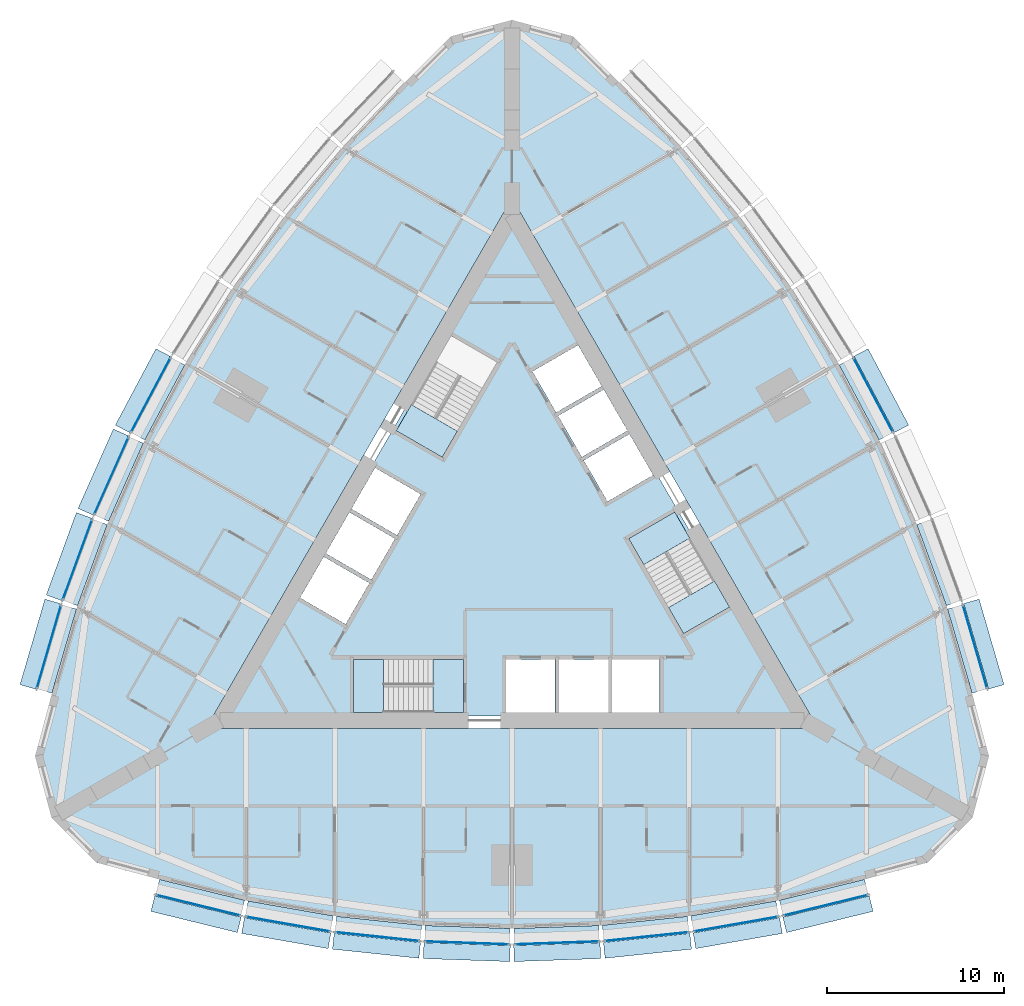
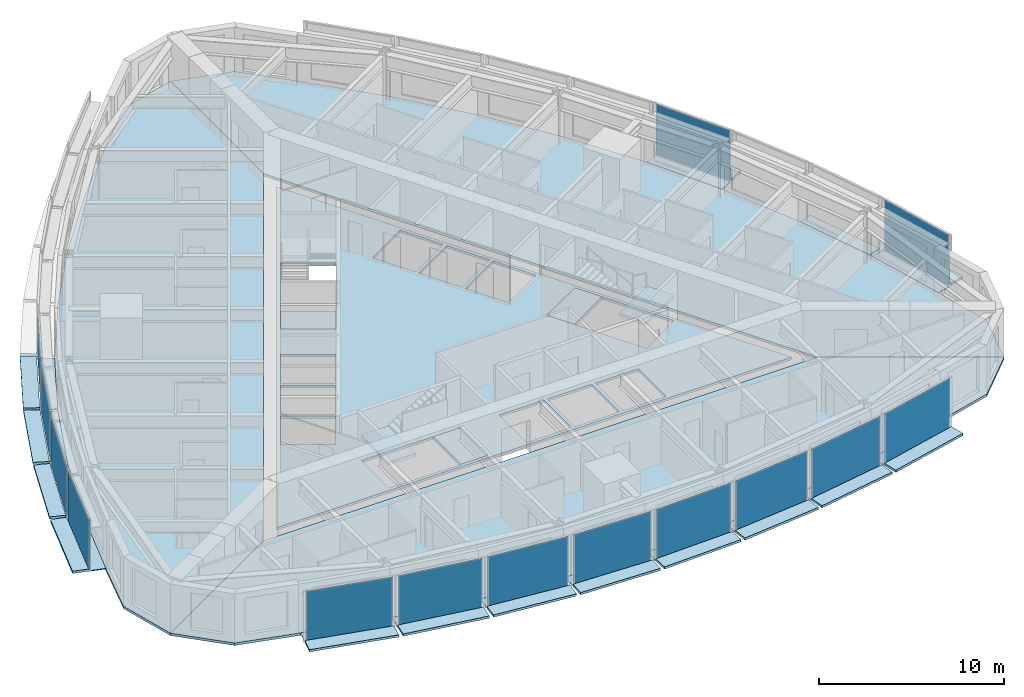
# One storey, part 6 of 14: 43 plates, 9 slabs, 17 elements without a shape of their own.
"""IFC4 building model written with IfcOpenShell, lengths in metres."""

from ifc_helpers import new_model, si_unit, direction, frame, origin, origin_2d, place, context, subcontext, project, spatial, polyline, rectangle, outline, extrude, material, layer, layer_set, type_object, element, aggregate, save


model = new_model("IFC4")

# Units and contexts
model_context = context("Model", 3, precision=1e-05, world=origin(), true_north=direction((0.0, 1.0)))
body_context = subcontext(model_context, "Body", "Model", "MODEL_VIEW")
ifc_project = project(units=[si_unit("LENGTHUNIT", "METRE"), si_unit("AREAUNIT", "SQUARE_METRE"), si_unit("VOLUMEUNIT", "CUBIC_METRE"), si_unit("PLANEANGLEUNIT", "RADIAN"), si_unit("MASSUNIT", "GRAM", prefix="KILO")], contexts=[model_context])

# Site, building, storey
site_placement = place(None, origin())
site = spatial("IfcSite", under=ifc_project, at=site_placement, CompositionType="ELEMENT")
building_placement = place(site_placement, origin())
building = spatial("IfcBuilding", under=site, at=building_placement, Name="Trikona Tower", CompositionType="ELEMENT")
storey_placement = place(building_placement, frame((0.0, 0.0, 138.5)))
storey = spatial("IfcBuildingStorey", under=building, at=storey_placement, Name="L36", CompositionType="ELEMENT", Elevation=138.5)

# Plates
ifc_material_1 = material(Name="Aluminium bar grating", Category="aluminium")
ifc_layer_1 = layer(ifc_material_1, 0.050048828125)
ifc_layer_set_1 = layer_set([ifc_layer_1], Name="Cavity catwalk grating")
plate_type_1 = type_object("IfcPlateType", Name="Cavity catwalk grating", PredefinedType="USERDEFINED", material=ifc_layer_set_1)
plate_1_placement = place(storey_placement, frame((-17.598876953125, -19.49072265625, -0.0498046875), z_axis=(0.0, 0.0, 1.0), x_axis=(0.971274411564, -0.237962218516, 0.0)))
element("IfcPlate", 1, at=plate_1_placement, inside=storey, type_object=plate_type_1, Name="Cavity catwalk L36-00", ObjectType="CATWALK GRATING", PredefinedType="USERDEFINED", context=body_context, shape_type="SweptSolid", body=[
    extrude(rectangle(XDim=4.947998046875, YDim=0.830078125, at=origin_2d()), origin(), (0.0, 0.0, 1.0), 0.050048828125),
])
plate_2_placement = place(storey_placement, frame((-12.571533203125, -20.54638671875, -0.0498046875), z_axis=(0.0, 0.0, 1.0), x_axis=(0.985030604067, -0.172379549401, 0.0)))
element("IfcPlate", 2, at=plate_2_placement, inside=storey, type_object=plate_type_1, Name="Cavity catwalk L36-01", ObjectType="CATWALK GRATING", PredefinedType="USERDEFINED", context=body_context, shape_type="SweptSolid", body=[
    extrude(rectangle(XDim=4.8759765625, YDim=0.830078125, at=origin_2d()), origin(), (0.0, 0.0, 1.0), 0.050048828125),
])
plate_3_placement = place(storey_placement, frame((-7.543212890625, -21.25048828125, -0.0498046875), z_axis=(0.0, 0.0, 1.0), x_axis=(0.994532653854, -0.104426052392, 0.0)))
element("IfcPlate", 3, at=plate_3_placement, inside=storey, type_object=plate_type_1, Name="Cavity catwalk L36-02", ObjectType="CATWALK GRATING", PredefinedType="USERDEFINED", context=body_context, shape_type="SweptSolid", body=[
    extrude(rectangle(XDim=4.827392578125, YDim=0.830078125, at=origin_2d()), origin(), (0.0, 0.0, 1.0), 0.050048828125),
])
for number, where, z_axis, x_axis, name in (
    (4, (-2.514404296875, -21.602294921875, -0.0498046875), (0.0, 0.0, 1.0), (0.999388082937, -0.034977988567, 0.0), "Cavity catwalk L36-03"),
    (5, (2.514404296875, -21.602294921875, -0.0498046875), (0.0, 0.0, 1.0), (0.999388082937, 0.034977988567, 0.0), "Cavity catwalk L36-04"),
):
    element("IfcPlate", number, at=place(storey_placement, frame(where, z_axis=z_axis, x_axis=x_axis)), inside=storey, type_object=plate_type_1, Name=name, ObjectType="CATWALK GRATING", PredefinedType="USERDEFINED", context=body_context, shape_type="SweptSolid", body=[
        extrude(rectangle(XDim=4.802978515625, YDim=0.830078125, at=origin_2d()), origin(), (0.0, 0.0, 1.0), 0.050048828125),
    ])
plate_4_placement = place(storey_placement, frame((7.543212890625, -21.25048828125, -0.0498046875), z_axis=(0.0, 0.0, 1.0), x_axis=(0.994532653854, 0.104426052392, 0.0)))
element("IfcPlate", 6, at=plate_4_placement, inside=storey, type_object=plate_type_1, Name="Cavity catwalk L36-05", ObjectType="CATWALK GRATING", PredefinedType="USERDEFINED", context=body_context, shape_type="SweptSolid", body=[
    extrude(rectangle(XDim=4.827392578125, YDim=0.830078125, at=origin_2d()), origin(), (0.0, 0.0, 1.0), 0.050048828125),
])
plate_5_placement = place(storey_placement, frame((12.571533203125, -20.54638671875, -0.0498046875), z_axis=(0.0, 0.0, 1.0), x_axis=(0.985030604067, 0.172379549401, 0.0)))
element("IfcPlate", 7, at=plate_5_placement, inside=storey, type_object=plate_type_1, Name="Cavity catwalk L36-06", ObjectType="CATWALK GRATING", PredefinedType="USERDEFINED", context=body_context, shape_type="SweptSolid", body=[
    extrude(rectangle(XDim=4.8759765625, YDim=0.830078125, at=origin_2d()), origin(), (0.0, 0.0, 1.0), 0.050048828125),
])
plate_6_placement = place(storey_placement, frame((17.598876953125, -19.49072265625, -0.0498046875), z_axis=(0.0, 0.0, 1.0), x_axis=(0.971274411564, 0.237962218516, 0.0)))
element("IfcPlate", 8, at=plate_6_placement, inside=storey, type_object=plate_type_1, Name="Cavity catwalk L36-07", ObjectType="CATWALK GRATING", PredefinedType="USERDEFINED", context=body_context, shape_type="SweptSolid", body=[
    extrude(rectangle(XDim=4.947998046875, YDim=0.830078125, at=origin_2d()), origin(), (0.0, 0.0, 1.0), 0.050048828125),
])
plate_7_placement = place(storey_placement, frame((25.678955078125, -5.49560546875, -0.0498046875), z_axis=(0.0, 0.0, 1.0), x_axis=(-0.279554203664, 0.960129911634, 0.0)))
element("IfcPlate", 9, at=plate_7_placement, inside=storey, type_object=plate_type_1, Name="Cavity catwalk L36-12", ObjectType="CATWALK GRATING", PredefinedType="USERDEFINED", context=body_context, shape_type="SweptSolid", body=[
    extrude(rectangle(XDim=4.94775390625, YDim=0.830078125, at=origin_2d()), origin(), (0.0, 0.0, 1.0), 0.050048828125),
])
plate_8_placement = place(storey_placement, frame((24.07958984375, -0.614013671875, -0.0498046875), z_axis=(0.0, 0.0, 1.0), x_axis=(-0.343220397324, 0.939254895575, 0.0)))
element("IfcPlate", 10, at=plate_8_placement, inside=storey, type_object=plate_type_1, Name="Cavity catwalk L36-13", ObjectType="CATWALK GRATING", PredefinedType="USERDEFINED", context=body_context, shape_type="SweptSolid", body=[
    extrude(rectangle(XDim=4.8759765625, YDim=0.830078125, at=origin_2d()), origin(), (0.0, 0.0, 1.0), 0.050048828125),
])
for number, where, z_axis, x_axis, name in (
    (11, (19.965576171875, 8.62353515625, -0.0498046875), (0.0, 0.0, 1.0), (-0.469397591494, 0.882986920118, 0.0), "Cavity catwalk L36-15"),
    (12, (-19.965576171875, 8.62353515625, -0.0498046875), (0.0, 0.0, 1.0), (-0.469397591494, -0.882986920118, 0.0), "Cavity catwalk L36-28"),
):
    element("IfcPlate", number, at=place(storey_placement, frame(where, z_axis=z_axis, x_axis=x_axis)), inside=storey, type_object=plate_type_1, Name=name, ObjectType="CATWALK GRATING", PredefinedType="USERDEFINED", context=body_context, shape_type="SweptSolid", body=[
        extrude(rectangle(XDim=4.802978515625, YDim=0.830078125, at=origin_2d()), origin(), (0.0, 0.0, 1.0), 0.050048828125),
    ])
plate_9_placement = place(storey_placement, frame((-22.175048828125, 4.092529296875, -0.0498046875), z_axis=(0.0, 0.0, 1.0), x_axis=(-0.406843467615, -0.913497888809, 0.0)))
element("IfcPlate", 13, at=plate_9_placement, inside=storey, type_object=plate_type_1, Name="Cavity catwalk L36-29", ObjectType="CATWALK GRATING", PredefinedType="USERDEFINED", context=body_context, shape_type="SweptSolid", body=[
    extrude(rectangle(XDim=4.827392578125, YDim=0.830078125, at=origin_2d()), origin(), (0.0, 0.0, 1.0), 0.050048828125),
])
plate_10_placement = place(storey_placement, frame((-24.07958984375, -0.614013671875, -0.0498046875), z_axis=(0.0, 0.0, 1.0), x_axis=(-0.343220397324, -0.939254895575, 0.0)))
element("IfcPlate", 14, at=plate_10_placement, inside=storey, type_object=plate_type_1, Name="Cavity catwalk L36-30", ObjectType="CATWALK GRATING", PredefinedType="USERDEFINED", context=body_context, shape_type="SweptSolid", body=[
    extrude(rectangle(XDim=4.8759765625, YDim=0.830078125, at=origin_2d()), origin(), (0.0, 0.0, 1.0), 0.050048828125),
])
plate_11_placement = place(storey_placement, frame((-25.678955078125, -5.49560546875, -0.0498046875), z_axis=(0.0, 0.0, 1.0), x_axis=(-0.279554203664, -0.960129911634, 0.0)))
element("IfcPlate", 15, at=plate_11_placement, inside=storey, type_object=plate_type_1, Name="Cavity catwalk L36-31", ObjectType="CATWALK GRATING", PredefinedType="USERDEFINED", context=body_context, shape_type="SweptSolid", body=[
    extrude(rectangle(XDim=4.94775390625, YDim=0.830078125, at=origin_2d()), origin(), (0.0, 0.0, 1.0), 0.050048828125),
])

# Slabs
ifc_material_2 = material(Name="Concrete f'c 5000 psi lightweight on composite steel deck", Category="concrete")
ifc_layer_2 = layer(ifc_material_2, 0.1650390625)
ifc_layer_set_2 = layer_set([ifc_layer_2], Name="Composite floor slab 165")
slab_type_1 = type_object("IfcSlabType", Name="Composite floor slab 165", PredefinedType="FLOOR", material=ifc_layer_set_2)
slab_1_placement = place(storey_placement, frame((0.0, 0.0, -0.1650390625)))
element("IfcSlab", 16, at=slab_1_placement, inside=storey, type_object=slab_type_1, Name="Floor slab L36 core", PredefinedType="FLOOR", context=body_context, shape_type="SweptSolid", body=[
    extrude(outline(polyline([(-16.06689453125, -9.2763671875), (16.06689453125, -9.2763671875), (0.0, 18.552490234375), (-16.06689453125, -9.2763671875)]), holes=[polyline([(12.285400390625, -3.126220703125), (9.185302734375, 2.2431640625), (6.587158203125, 0.7431640625), (9.687255859375, -4.626220703125), (12.285400390625, -3.126220703125)]), polyline([(8.340087890625, -9.06640625), (8.340087890625, -6.086181640625), (5.659912109375, -6.086181640625), (5.659912109375, -9.06640625), (8.340087890625, -9.06640625)]), polyline([(5.390869140625, 2.835205078125), (7.9716796875, 4.3251953125), (6.631591796875, 6.646240234375), (4.05078125, 5.15625), (5.390869140625, 2.835205078125)]), polyline([(2.600830078125, 7.667724609375), (3.94091796875, 5.3466796875), (6.521484375, 6.8369140625), (5.181640625, 9.15771484375), (2.600830078125, 7.667724609375)]), polyline([(5.43994140625, -6.086181640625), (2.659912109375, -6.086181640625), (2.659912109375, -9.06640625), (5.43994140625, -9.06640625), (5.43994140625, -6.086181640625)]), polyline([(3.731689453125, 11.669189453125), (1.15087890625, 10.17919921875), (2.490966796875, 7.858154296875), (5.071533203125, 9.34814453125), (3.731689453125, 11.669189453125)]), polyline([(-0.340087890625, -6.086181640625), (-0.340087890625, -9.06640625), (2.43994140625, -9.06640625), (2.43994140625, -6.086181640625), (-0.340087890625, -6.086181640625)]), polyline([(-3.435302734375, 12.202392578125), (-6.535400390625, 6.8330078125), (-3.937255859375, 5.3330078125), (-0.837158203125, 10.702392578125), (-3.435302734375, 12.202392578125)]), polyline([(-8.949951171875, -9.076416015625), (-2.75, -9.076416015625), (-2.75, -6.076416015625), (-8.949951171875, -6.076416015625), (-8.949951171875, -9.076416015625)]), polyline([(-5.15087890625, 3.2509765625), (-7.731689453125, 4.740966796875), (-9.071533203125, 2.419921875), (-6.490966796875, 0.929931640625), (-5.15087890625, 3.2509765625)]), polyline([(-7.94091796875, -1.581298828125), (-6.600830078125, 0.739501953125), (-9.181640625, 2.2294921875), (-10.521484375, -0.09130859375), (-7.94091796875, -1.581298828125)]), polyline([(-11.9716796875, -2.602783203125), (-9.390869140625, -4.093017578125), (-8.05078125, -1.77197265625), (-10.631591796875, -0.281982421875), (-11.9716796875, -2.602783203125)])]), origin(), (0.0, 0.0, 1.0), 0.1650390625),
])
slab_2_placement = place(storey_placement, frame((0.0, 0.0, -0.1650390625)))
element("IfcSlab", 17, at=slab_2_placement, inside=storey, type_object=slab_type_1, Name="Floor slab L36 south", PredefinedType="FLOOR", context=body_context, shape_type="SweptSolid", body=[
    extrude(outline(polyline([(23.464111328125, -17.547119140625), (26.0, -15.010986328125), (17.279296875, -9.976318359375), (-17.279296875, -9.976318359375), (-26.0, -15.010986328125), (-23.464111328125, -17.547119140625), (-20.0, -18.47509765625), (-15.0, -19.7001953125), (-10.0, -20.5751953125), (-5.0, -21.10009765625), (0.0, -21.275146484375), (5.0, -21.10009765625), (10.0, -20.5751953125), (15.0, -19.7001953125), (20.0, -18.47509765625), (23.464111328125, -17.547119140625)])), origin(), (0.0, 0.0, 1.0), 0.1650390625),
])
slab_3_placement = place(storey_placement, frame((0.0, 0.0, -0.1650390625)))
element("IfcSlab", 18, at=slab_3_placement, inside=storey, type_object=slab_type_1, Name="Floor slab L36 north-east", PredefinedType="FLOOR", context=body_context, shape_type="SweptSolid", body=[
    extrude(outline(polyline([(3.464111328125, 29.093994140625), (0.0, 30.022216796875), (0.0, 19.95263671875), (17.279296875, -9.976318359375), (26.0, -15.010986328125), (26.92822265625, -11.547119140625), (26.0, -8.0830078125), (24.560791015625, -3.140380859375), (22.818603515625, 1.62744140625), (20.773193359375, 6.219970703125), (18.4248046875, 10.6376953125), (15.773193359375, 14.880126953125), (12.818603515625, 18.947998046875), (9.560791015625, 22.840576171875), (6.0, 26.55810546875), (3.464111328125, 29.093994140625)])), origin(), (0.0, 0.0, 1.0), 0.1650390625),
])
slab_4_placement = place(storey_placement, frame((0.0, 0.0, -0.1650390625)))
element("IfcSlab", 19, at=slab_4_placement, inside=storey, type_object=slab_type_1, Name="Floor slab L36 north-west", PredefinedType="FLOOR", context=body_context, shape_type="SweptSolid", body=[
    extrude(outline(polyline([(0.0, 19.95263671875), (0.0, 30.022216796875), (-3.464111328125, 29.093994140625), (-6.0, 26.55810546875), (-9.560791015625, 22.840576171875), (-12.818603515625, 18.947998046875), (-15.773193359375, 14.880126953125), (-18.4248046875, 10.6376953125), (-20.773193359375, 6.219970703125), (-22.818603515625, 1.62744140625), (-24.560791015625, -3.140380859375), (-26.0, -8.0830078125), (-26.92822265625, -11.547119140625), (-26.0, -15.010986328125), (-17.279296875, -9.976318359375), (0.0, 19.95263671875)])), origin(), (0.0, 0.0, 1.0), 0.1650390625),
])

# Curtain wall, plate
ifc_material_3 = material(Name="Aluminium curtain wall system", Category="aluminium")
curtain_wall_type = type_object("IfcCurtainWallType", Name="Curtain wall DS2", PredefinedType="NOTDEFINED", material=ifc_material_3)
curtain_wall_1_placement = place(storey_placement, origin())
curtain_wall_1 = element("IfcCurtainWall", 20, at=curtain_wall_1_placement, inside=storey, type_object=curtain_wall_type, Name="Curtain wall DS2 L36", PredefinedType="NOTDEFINED")
ifc_material_4 = material(Name="Laminated clear glass", Category="glass")
ifc_layer_3 = layer(ifc_material_4, 0.028076171875)
ifc_layer_set_3 = layer_set([ifc_layer_3], Name="Glass panel DS2")
plate_type_2 = type_object("IfcPlateType", Name="Glass panel DS2", PredefinedType="CURTAIN_PANEL", material=ifc_layer_set_3)
plate_12_placement = place(storey_placement, frame((-17.714111328125, -19.9619140625, 0.0), z_axis=(0.0, 0.0, 1.0), x_axis=(0.971272455026, -0.237970204243, 0.0)))
plate_12 = element("IfcPlate", 21, at=plate_12_placement, type_object=plate_type_2, Name="CW-DS2 panel 1.1", PredefinedType="CURTAIN_PANEL", context=body_context, shape_type="SweptSolid", body=[
    extrude(rectangle(XDim=4.867919921875, YDim=0.028076171875, at=origin_2d()), origin(), (0.0, 0.0, 1.0), 3.320068359375),
])
aggregate(curtain_wall_1, [plate_12])

curtain_wall_2_placement = place(storey_placement, origin())
curtain_wall_2 = element("IfcCurtainWall", 22, at=curtain_wall_2_placement, inside=storey, type_object=curtain_wall_type, Name="Curtain wall DS2 L36", PredefinedType="NOTDEFINED")
plate_13_placement = place(storey_placement, frame((-12.655029296875, -21.024169921875, 0.0), z_axis=(0.0, 0.0, 1.0), x_axis=(0.985030981074, -0.17237739505, 0.0)))
plate_13 = element("IfcPlate", 23, at=plate_13_placement, type_object=plate_type_2, Name="CW-DS2 panel 1.1", PredefinedType="CURTAIN_PANEL", context=body_context, shape_type="SweptSolid", body=[
    extrude(rectangle(XDim=4.7958984375, YDim=0.028076171875, at=origin_2d()), origin(), (0.0, 0.0, 1.0), 3.320068359375),
])
aggregate(curtain_wall_2, [plate_13])

curtain_wall_3_placement = place(storey_placement, origin())
curtain_wall_3 = element("IfcCurtainWall", 24, at=curtain_wall_3_placement, inside=storey, type_object=curtain_wall_type, Name="Curtain wall DS2 L36", PredefinedType="NOTDEFINED")
plate_14_placement = place(storey_placement, frame((-7.593994140625, -21.732666015625, 0.0), z_axis=(0.0, 0.0, 1.0), x_axis=(0.994531883654, -0.104433387357, 0.0)))
plate_14 = element("IfcPlate", 25, at=plate_14_placement, type_object=plate_type_2, Name="CW-DS2 panel 1.1", PredefinedType="CURTAIN_PANEL", context=body_context, shape_type="SweptSolid", body=[
    extrude(rectangle(XDim=4.747314453125, YDim=0.028076171875, at=origin_2d()), origin(), (0.0, 0.0, 1.0), 3.320068359375),
])
aggregate(curtain_wall_3, [plate_14])

curtain_wall_4_placement = place(storey_placement, origin())
curtain_wall_4 = element("IfcCurtainWall", 26, at=curtain_wall_4_placement, inside=storey, type_object=curtain_wall_type, Name="Curtain wall DS2 L36", PredefinedType="NOTDEFINED")
plate_15_placement = place(storey_placement, frame((-2.531494140625, -22.087158203125, 0.0), z_axis=(0.0, 0.0, 1.0), x_axis=(0.99938737114, -0.034998320052, 0.0)))
plate_15 = element("IfcPlate", 27, at=plate_15_placement, type_object=plate_type_2, Name="CW-DS2 panel 1.1", PredefinedType="CURTAIN_PANEL", context=body_context, shape_type="SweptSolid", body=[
    extrude(rectangle(XDim=4.72314453125, YDim=0.028076171875, at=origin_2d()), origin(), (0.0, 0.0, 1.0), 3.320068359375),
])
aggregate(curtain_wall_4, [plate_15])

curtain_wall_5_placement = place(storey_placement, origin())
curtain_wall_5 = element("IfcCurtainWall", 28, at=curtain_wall_5_placement, inside=storey, type_object=curtain_wall_type, Name="Curtain wall DS2 L36", PredefinedType="NOTDEFINED")
plate_16_placement = place(storey_placement, frame((2.531494140625, -22.087158203125, 0.0), z_axis=(0.0, 0.0, 1.0), x_axis=(0.99938737114, 0.034998320052, 0.0)))
plate_16 = element("IfcPlate", 29, at=plate_16_placement, type_object=plate_type_2, Name="CW-DS2 panel 1.1", PredefinedType="CURTAIN_PANEL", context=body_context, shape_type="SweptSolid", body=[
    extrude(rectangle(XDim=4.72314453125, YDim=0.028076171875, at=origin_2d()), origin(), (0.0, 0.0, 1.0), 3.320068359375),
])
aggregate(curtain_wall_5, [plate_16])

curtain_wall_6_placement = place(storey_placement, origin())
curtain_wall_6 = element("IfcCurtainWall", 30, at=curtain_wall_6_placement, inside=storey, type_object=curtain_wall_type, Name="Curtain wall DS2 L36", PredefinedType="NOTDEFINED")
plate_17_placement = place(storey_placement, frame((7.593994140625, -21.732666015625, 0.0), z_axis=(0.0, 0.0, 1.0), x_axis=(0.994531883654, 0.104433387357, 0.0)))
plate_17 = element("IfcPlate", 31, at=plate_17_placement, type_object=plate_type_2, Name="CW-DS2 panel 1.1", PredefinedType="CURTAIN_PANEL", context=body_context, shape_type="SweptSolid", body=[
    extrude(rectangle(XDim=4.747314453125, YDim=0.028076171875, at=origin_2d()), origin(), (0.0, 0.0, 1.0), 3.320068359375),
])
aggregate(curtain_wall_6, [plate_17])

curtain_wall_7_placement = place(storey_placement, origin())
curtain_wall_7 = element("IfcCurtainWall", 32, at=curtain_wall_7_placement, inside=storey, type_object=curtain_wall_type, Name="Curtain wall DS2 L36", PredefinedType="NOTDEFINED")
plate_18_placement = place(storey_placement, frame((12.655029296875, -21.024169921875, 0.0), z_axis=(0.0, 0.0, 1.0), x_axis=(0.985030981074, 0.17237739505, 0.0)))
plate_18 = element("IfcPlate", 33, at=plate_18_placement, type_object=plate_type_2, Name="CW-DS2 panel 1.1", PredefinedType="CURTAIN_PANEL", context=body_context, shape_type="SweptSolid", body=[
    extrude(rectangle(XDim=4.7958984375, YDim=0.028076171875, at=origin_2d()), origin(), (0.0, 0.0, 1.0), 3.320068359375),
])
aggregate(curtain_wall_7, [plate_18])

curtain_wall_8_placement = place(storey_placement, origin())
curtain_wall_8 = element("IfcCurtainWall", 34, at=curtain_wall_8_placement, inside=storey, type_object=curtain_wall_type, Name="Curtain wall DS2 L36", PredefinedType="NOTDEFINED")
plate_19_placement = place(storey_placement, frame((17.714111328125, -19.9619140625, 0.0), z_axis=(0.0, 0.0, 1.0), x_axis=(0.971272455026, 0.237970204243, 0.0)))
plate_19 = element("IfcPlate", 35, at=plate_19_placement, type_object=plate_type_2, Name="CW-DS2 panel 1.1", PredefinedType="CURTAIN_PANEL", context=body_context, shape_type="SweptSolid", body=[
    extrude(rectangle(XDim=4.867919921875, YDim=0.028076171875, at=origin_2d()), origin(), (0.0, 0.0, 1.0), 3.320068359375),
])
aggregate(curtain_wall_8, [plate_19])

curtain_wall_9_placement = place(storey_placement, origin())
curtain_wall_9 = element("IfcCurtainWall", 36, at=curtain_wall_9_placement, inside=storey, type_object=curtain_wall_type, Name="Curtain wall DS2 L36", PredefinedType="NOTDEFINED")
plate_20_placement = place(storey_placement, frame((26.14453125, -5.360107421875, 0.0), z_axis=(0.0, 0.0, 1.0), x_axis=(-0.279543247757, 0.96013310152, 0.0)))
plate_20 = element("IfcPlate", 37, at=plate_20_placement, type_object=plate_type_2, Name="CW-DS2 panel 1.1", PredefinedType="CURTAIN_PANEL", context=body_context, shape_type="SweptSolid", body=[
    extrude(rectangle(XDim=4.867919921875, YDim=0.028076171875, at=origin_2d()), origin(), (0.0, 0.0, 1.0), 3.320068359375),
])
aggregate(curtain_wall_9, [plate_20])

curtain_wall_10_placement = place(storey_placement, origin())
curtain_wall_10 = element("IfcCurtainWall", 38, at=curtain_wall_10_placement, inside=storey, type_object=curtain_wall_type, Name="Curtain wall DS2 L36", PredefinedType="NOTDEFINED")
plate_21_placement = place(storey_placement, frame((20.393798828125, 8.851318359375, 0.0), z_axis=(0.0, 0.0, 1.0), x_axis=(-0.469380308937, 0.882996107343, 0.0)))
plate_21 = element("IfcPlate", 39, at=plate_21_placement, type_object=plate_type_2, Name="CW-DS2 panel 1.1", PredefinedType="CURTAIN_PANEL", context=body_context, shape_type="SweptSolid", body=[
    extrude(rectangle(XDim=4.72314453125, YDim=0.028076171875, at=origin_2d()), origin(), (0.0, 0.0, 1.0), 3.320068359375),
])
aggregate(curtain_wall_10, [plate_21])

curtain_wall_11_placement = place(storey_placement, origin())
curtain_wall_11 = element("IfcCurtainWall", 40, at=curtain_wall_11_placement, inside=storey, type_object=curtain_wall_type, Name="Curtain wall DS2 L36", PredefinedType="NOTDEFINED")
plate_22_placement = place(storey_placement, frame((-20.393798828125, 8.851318359375, 0.0), z_axis=(0.0, 0.0, 1.0), x_axis=(-0.469380308937, -0.882996107343, 0.0)))
plate_22 = element("IfcPlate", 41, at=plate_22_placement, type_object=plate_type_2, Name="CW-DS2 panel 1.1", PredefinedType="CURTAIN_PANEL", context=body_context, shape_type="SweptSolid", body=[
    extrude(rectangle(XDim=4.72314453125, YDim=0.028076171875, at=origin_2d()), origin(), (0.0, 0.0, 1.0), 3.320068359375),
])
aggregate(curtain_wall_11, [plate_22])

curtain_wall_12_placement = place(storey_placement, origin())
curtain_wall_12 = element("IfcCurtainWall", 42, at=curtain_wall_12_placement, inside=storey, type_object=curtain_wall_type, Name="Curtain wall DS2 L36", PredefinedType="NOTDEFINED")
plate_23_placement = place(storey_placement, frame((-22.6181640625, 4.289794921875, 0.0), z_axis=(0.0, 0.0, 1.0), x_axis=(-0.406836013132, -0.913501208767, 0.0)))
plate_23 = element("IfcPlate", 43, at=plate_23_placement, type_object=plate_type_2, Name="CW-DS2 panel 1.1", PredefinedType="CURTAIN_PANEL", context=body_context, shape_type="SweptSolid", body=[
    extrude(rectangle(XDim=4.747314453125, YDim=0.028076171875, at=origin_2d()), origin(), (0.0, 0.0, 1.0), 3.320068359375),
])
aggregate(curtain_wall_12, [plate_23])

curtain_wall_13_placement = place(storey_placement, origin())
curtain_wall_13 = element("IfcCurtainWall", 44, at=curtain_wall_13_placement, inside=storey, type_object=curtain_wall_type, Name="Curtain wall DS2 L36", PredefinedType="NOTDEFINED")
plate_24_placement = place(storey_placement, frame((-24.53515625, -0.447509765625, 0.0), z_axis=(0.0, 0.0, 1.0), x_axis=(-0.343223420143, -0.939253790978, 0.0)))
plate_24 = element("IfcPlate", 45, at=plate_24_placement, type_object=plate_type_2, Name="CW-DS2 panel 1.1", PredefinedType="CURTAIN_PANEL", context=body_context, shape_type="SweptSolid", body=[
    extrude(rectangle(XDim=4.7958984375, YDim=0.028076171875, at=origin_2d()), origin(), (0.0, 0.0, 1.0), 3.320068359375),
])
aggregate(curtain_wall_13, [plate_24])

curtain_wall_14_placement = place(storey_placement, origin())
curtain_wall_14 = element("IfcCurtainWall", 46, at=curtain_wall_14_placement, inside=storey, type_object=curtain_wall_type, Name="Curtain wall DS2 L36", PredefinedType="NOTDEFINED")
plate_25_placement = place(storey_placement, frame((-26.14453125, -5.360107421875, 0.0), z_axis=(0.0, 0.0, 1.0), x_axis=(-0.279543247757, -0.96013310152, 0.0)))
plate_25 = element("IfcPlate", 47, at=plate_25_placement, type_object=plate_type_2, Name="CW-DS2 panel 1.1", PredefinedType="CURTAIN_PANEL", context=body_context, shape_type="SweptSolid", body=[
    extrude(rectangle(XDim=4.867919921875, YDim=0.028076171875, at=origin_2d()), origin(), (0.0, 0.0, 1.0), 3.320068359375),
])
aggregate(curtain_wall_14, [plate_25])

# Plates
ifc_material_5 = material(Name="Aluminium plate fin, pale anodised, on stainless steel outriggers", Category="steel")
ifc_layer_4 = layer(ifc_material_5, 0.14990234375)
ifc_layer_set_4 = layer_set([ifc_layer_4], Name="Outer skin fin 900")
plate_type_3 = type_object("IfcPlateType", Name="Outer skin fin 900", PredefinedType="USERDEFINED", material=ifc_layer_set_4)
plate_26_placement = place(storey_placement, frame((-17.837890625, -20.466796875, 0.0), z_axis=(0.0, 0.0, 1.0), x_axis=(0.971274411564, -0.237962218516, 0.0)))
element("IfcPlate", 48, at=plate_26_placement, inside=storey, type_object=plate_type_3, Name="Outer skin fin L36-00", ObjectType="FIN", PredefinedType="USERDEFINED", context=body_context, shape_type="SweptSolid", body=[
    extrude(rectangle(XDim=5.02783203125, YDim=0.89990234375, at=origin_2d()), origin(), (0.0, 0.0, 1.0), 0.14990234375),
])
plate_27_placement = place(storey_placement, frame((-12.744873046875, -21.536376953125, 0.0), z_axis=(0.0, 0.0, 1.0), x_axis=(0.985030604067, -0.172379549401, 0.0)))
element("IfcPlate", 49, at=plate_27_placement, inside=storey, type_object=plate_type_3, Name="Outer skin fin L36-01", ObjectType="FIN", PredefinedType="USERDEFINED", context=body_context, shape_type="SweptSolid", body=[
    extrude(rectangle(XDim=4.9560546875, YDim=0.89990234375, at=origin_2d()), origin(), (0.0, 0.0, 1.0), 0.14990234375),
])
plate_28_placement = place(storey_placement, frame((-7.648193359375, -22.25, 0.0), z_axis=(0.0, 0.0, 1.0), x_axis=(0.994532653854, -0.104426052392, 0.0)))
element("IfcPlate", 50, at=plate_28_placement, inside=storey, type_object=plate_type_3, Name="Outer skin fin L36-02", ObjectType="FIN", PredefinedType="USERDEFINED", context=body_context, shape_type="SweptSolid", body=[
    extrude(rectangle(XDim=4.907470703125, YDim=0.89990234375, at=origin_2d()), origin(), (0.0, 0.0, 1.0), 0.14990234375),
])
for number, where, z_axis, x_axis, name in (
    (51, (-2.5498046875, -22.606689453125, 0.0), (0.0, 0.0, 1.0), (0.999388082937, -0.034977988567, 0.0), "Outer skin fin L36-03"),
    (52, (2.5498046875, -22.606689453125, 0.0), (0.0, 0.0, 1.0), (0.999388082937, 0.034977988567, 0.0), "Outer skin fin L36-04"),
):
    element("IfcPlate", number, at=place(storey_placement, frame(where, z_axis=z_axis, x_axis=x_axis)), inside=storey, type_object=plate_type_3, Name=name, ObjectType="FIN", PredefinedType="USERDEFINED", context=body_context, shape_type="SweptSolid", body=[
        extrude(rectangle(XDim=4.883056640625, YDim=0.89990234375, at=origin_2d()), origin(), (0.0, 0.0, 1.0), 0.14990234375),
    ])
plate_29_placement = place(storey_placement, frame((7.648193359375, -22.25, 0.0), z_axis=(0.0, 0.0, 1.0), x_axis=(0.994532653854, 0.104426052392, 0.0)))
element("IfcPlate", 53, at=plate_29_placement, inside=storey, type_object=plate_type_3, Name="Outer skin fin L36-05", ObjectType="FIN", PredefinedType="USERDEFINED", context=body_context, shape_type="SweptSolid", body=[
    extrude(rectangle(XDim=4.907470703125, YDim=0.89990234375, at=origin_2d()), origin(), (0.0, 0.0, 1.0), 0.14990234375),
])
plate_30_placement = place(storey_placement, frame((12.744873046875, -21.536376953125, 0.0), z_axis=(0.0, 0.0, 1.0), x_axis=(0.985030604067, 0.172379549401, 0.0)))
element("IfcPlate", 54, at=plate_30_placement, inside=storey, type_object=plate_type_3, Name="Outer skin fin L36-06", ObjectType="FIN", PredefinedType="USERDEFINED", context=body_context, shape_type="SweptSolid", body=[
    extrude(rectangle(XDim=4.9560546875, YDim=0.89990234375, at=origin_2d()), origin(), (0.0, 0.0, 1.0), 0.14990234375),
])
for number, where, z_axis, x_axis, name in (
    (55, (17.837890625, -20.466796875, 0.0), (0.0, 0.0, 1.0), (0.971274411564, 0.237962218516, 0.0), "Outer skin fin L36-07"),
    (56, (26.643798828125, -5.214599609375, 0.0), (0.0, 0.0, 1.0), (-0.279554203664, 0.960129911634, 0.0), "Outer skin fin L36-12"),
):
    element("IfcPlate", number, at=place(storey_placement, frame(where, z_axis=z_axis, x_axis=x_axis)), inside=storey, type_object=plate_type_3, Name=name, ObjectType="FIN", PredefinedType="USERDEFINED", context=body_context, shape_type="SweptSolid", body=[
        extrude(rectangle(XDim=5.02783203125, YDim=0.89990234375, at=origin_2d()), origin(), (0.0, 0.0, 1.0), 0.14990234375),
    ])
for number, where, z_axis, x_axis, name in (
    (57, (20.852783203125, 9.09521484375, 0.0), (0.0, 0.0, 1.0), (-0.469397591494, 0.882986920118, 0.0), "Outer skin fin L36-15"),
    (58, (-20.852783203125, 9.09521484375, 0.0), (0.0, 0.0, 1.0), (-0.469397591494, -0.882986920118, 0.0), "Outer skin fin L36-28"),
):
    element("IfcPlate", number, at=place(storey_placement, frame(where, z_axis=z_axis, x_axis=x_axis)), inside=storey, type_object=plate_type_3, Name=name, ObjectType="FIN", PredefinedType="USERDEFINED", context=body_context, shape_type="SweptSolid", body=[
        extrude(rectangle(XDim=4.883056640625, YDim=0.89990234375, at=origin_2d()), origin(), (0.0, 0.0, 1.0), 0.14990234375),
    ])
plate_31_placement = place(storey_placement, frame((-23.09326171875, 4.50146484375, 0.0), z_axis=(0.0, 0.0, 1.0), x_axis=(-0.406843467615, -0.913497888809, 0.0)))
element("IfcPlate", 59, at=plate_31_placement, inside=storey, type_object=plate_type_3, Name="Outer skin fin L36-29", ObjectType="FIN", PredefinedType="USERDEFINED", context=body_context, shape_type="SweptSolid", body=[
    extrude(rectangle(XDim=4.907470703125, YDim=0.89990234375, at=origin_2d()), origin(), (0.0, 0.0, 1.0), 0.14990234375),
])
plate_32_placement = place(storey_placement, frame((-25.0234375, -0.26904296875, 0.0), z_axis=(0.0, 0.0, 1.0), x_axis=(-0.343220397324, -0.939254895575, 0.0)))
element("IfcPlate", 60, at=plate_32_placement, inside=storey, type_object=plate_type_3, Name="Outer skin fin L36-30", ObjectType="FIN", PredefinedType="USERDEFINED", context=body_context, shape_type="SweptSolid", body=[
    extrude(rectangle(XDim=4.9560546875, YDim=0.89990234375, at=origin_2d()), origin(), (0.0, 0.0, 1.0), 0.14990234375),
])
plate_33_placement = place(storey_placement, frame((-26.643798828125, -5.214599609375, 0.0), z_axis=(0.0, 0.0, 1.0), x_axis=(-0.279554203664, -0.960129911634, 0.0)))
element("IfcPlate", 61, at=plate_33_placement, inside=storey, type_object=plate_type_3, Name="Outer skin fin L36-31", ObjectType="FIN", PredefinedType="USERDEFINED", context=body_context, shape_type="SweptSolid", body=[
    extrude(rectangle(XDim=5.02783203125, YDim=0.89990234375, at=origin_2d()), origin(), (0.0, 0.0, 1.0), 0.14990234375),
])

# Stair, slabs
ifc_material_6 = material(Name="Concrete f'c 5000 psi", Category="concrete")
stair_type = type_object("IfcStairType", Name="Core stair", PredefinedType="HALF_TURN_STAIR", material=ifc_material_6)
stair_1_placement = place(storey_placement, origin())
stair_1 = element("IfcStair", 62, at=stair_1_placement, inside=storey, type_object=stair_type, Name="Stair A L36", PredefinedType="HALF_TURN_STAIR")
ifc_material_7 = material(Name="Concrete f'c 5000 psi", Category="concrete")
ifc_layer_5 = layer(ifc_material_7, 0.199951171875)
ifc_layer_set_5 = layer_set([ifc_layer_5], Name="Stair landing 200")
slab_type_2 = type_object("IfcSlabType", Name="Stair landing 200", PredefinedType="LANDING", material=ifc_layer_set_5)
slab_5_placement = place(storey_placement, frame((0.0, 0.0, -0.199951171875)))
slab_5 = element("IfcSlab", 63, at=slab_5_placement, type_object=slab_type_2, Name="ST-A landing 1", PredefinedType="LANDING", context=body_context, shape_type="SweptSolid", body=[
    extrude(outline(polyline([(-4.452880859375, -6.076416015625), (-2.75, -6.076416015625), (-2.75, -9.076416015625), (-4.452880859375, -9.076416015625), (-4.452880859375, -6.076416015625)])), origin(), (0.0, 0.0, 1.0), 0.199951171875),
])
slab_6_placement = place(storey_placement, frame((0.0, 0.0, 1.5)))
slab_6 = element("IfcSlab", 64, at=slab_6_placement, type_object=slab_type_2, Name="ST-A landing 2", PredefinedType="LANDING", context=body_context, shape_type="SweptSolid", body=[
    extrude(outline(polyline([(-8.949951171875, -6.076416015625), (-7.2470703125, -6.076416015625), (-7.2470703125, -9.076416015625), (-8.949951171875, -9.076416015625), (-8.949951171875, -6.076416015625)])), origin(), (0.0, 0.0, 1.0), 0.199951171875),
])
aggregate(stair_1, [slab_5, slab_6])

stair_2_placement = place(storey_placement, origin())
stair_2 = element("IfcStair", 65, at=stair_2_placement, inside=storey, type_object=stair_type, Name="Stair B L36", PredefinedType="HALF_TURN_STAIR")
slab_7_placement = place(storey_placement, frame((0.0, 0.0, -0.199951171875)))
slab_7 = element("IfcSlab", 66, at=slab_7_placement, type_object=slab_type_2, Name="ST-B landing 1", PredefinedType="LANDING", context=body_context, shape_type="SweptSolid", body=[
    extrude(outline(polyline([(7.438720703125, -0.731689453125), (6.587158203125, 0.7431640625), (9.185302734375, 2.2431640625), (10.036865234375, 0.768310546875), (7.438720703125, -0.731689453125)])), origin(), (0.0, 0.0, 1.0), 0.199951171875),
])
slab_8_placement = place(storey_placement, frame((0.0, 0.0, 1.5)))
slab_8 = element("IfcSlab", 67, at=slab_8_placement, type_object=slab_type_2, Name="ST-B landing 2", PredefinedType="LANDING", context=body_context, shape_type="SweptSolid", body=[
    extrude(outline(polyline([(9.687255859375, -4.626220703125), (8.835693359375, -3.1513671875), (11.433837890625, -1.6513671875), (12.285400390625, -3.126220703125), (9.687255859375, -4.626220703125)])), origin(), (0.0, 0.0, 1.0), 0.199951171875),
])
aggregate(stair_2, [slab_7, slab_8])

# Stair, slab
stair_3_placement = place(storey_placement, origin())
stair_3 = element("IfcStair", 68, at=stair_3_placement, inside=storey, type_object=stair_type, Name="Stair C L36", PredefinedType="HALF_TURN_STAIR")
slab_9_placement = place(storey_placement, frame((0.0, 0.0, -0.199951171875)))
slab_9 = element("IfcSlab", 69, at=slab_9_placement, type_object=slab_type_2, Name="ST-C landing 1", PredefinedType="LANDING", context=body_context, shape_type="SweptSolid", body=[
    extrude(outline(polyline([(-3.085693359375, 6.807861328125), (-3.937255859375, 5.3330078125), (-6.535400390625, 6.8330078125), (-5.683837890625, 8.307861328125), (-3.085693359375, 6.807861328125)])), origin(), (0.0, 0.0, 1.0), 0.199951171875),
])
aggregate(stair_3, [slab_9])

save(model, "model.ifc")
